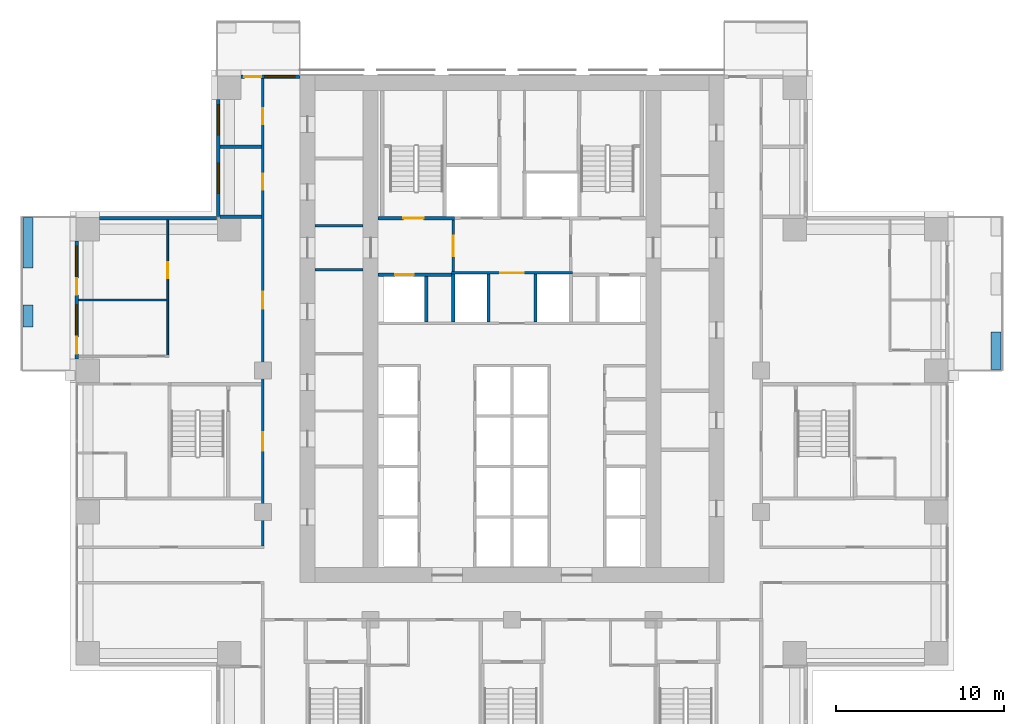
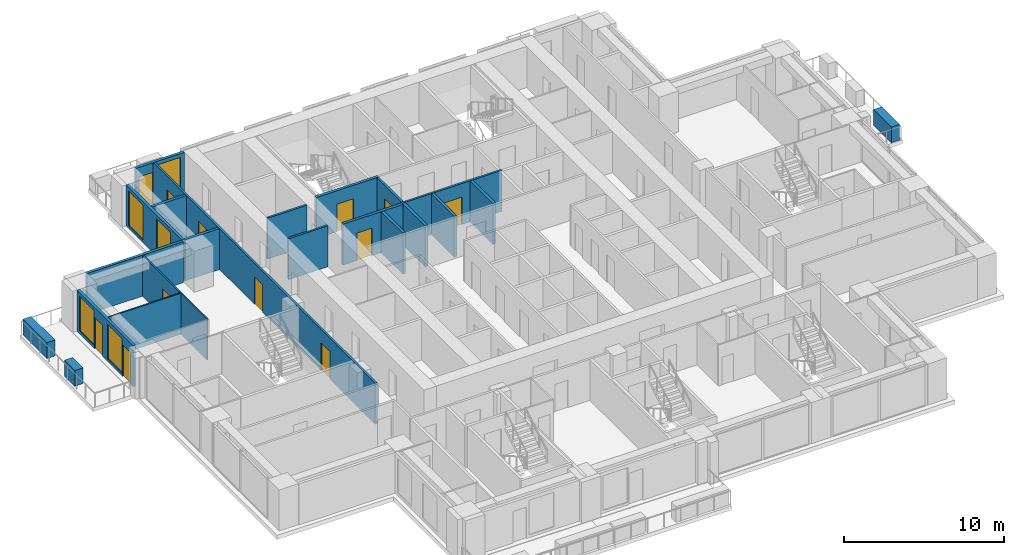
# One storey, part 10 of 16: 22 walls, 12 doors, 5 windows, 17 openings.
"""IFC4 building model written with IfcOpenShell, lengths in metres."""

from ifc_helpers import new_model, si_unit, direction, frame, frame_2d, origin, place, context, subcontext, project, spatial, rectangle, extrude, material, layer, layer_set, type_object, element, fill, save


model = new_model("IFC4")

# Units and contexts
model_context = context("Model", 3, precision=1e-05, world=origin(), true_north=direction((0.0, 1.0)))
body_context = subcontext(model_context, "Body", "Model", "MODEL_VIEW")
ifc_project = project(units=[si_unit("LENGTHUNIT", "METRE"), si_unit("AREAUNIT", "SQUARE_METRE"), si_unit("VOLUMEUNIT", "CUBIC_METRE"), si_unit("PLANEANGLEUNIT", "RADIAN"), si_unit("MASSUNIT", "GRAM", prefix="KILO")], contexts=[model_context])

# Site, building, storey
site_placement = place(None, origin())
site = spatial("IfcSite", under=ifc_project, at=site_placement, CompositionType="ELEMENT")
building_placement = place(site_placement, origin())
building = spatial("IfcBuilding", under=site, at=building_placement, Name="Vermilion Ogive Tower", CompositionType="ELEMENT")
storey_placement = place(building_placement, frame((0.0, 0.0, 44.85009765625)))
storey = spatial("IfcBuildingStorey", under=building, at=storey_placement, Name="L09", CompositionType="ELEMENT", Elevation=44.85009765625)

# Wall
ifc_material_1 = material(Name="Gypsum board partition on steel studs", Category="steel")
ifc_layer_1 = layer(ifc_material_1, 0.10009765625)
ifc_layer_set_1 = layer_set([ifc_layer_1], Name="Partition 100 inner")
wall_type_1 = type_object("IfcWallType", Name="Partition 100 inner", PredefinedType="PARTITIONING", material=ifc_layer_set_1)
wall_1_placement = place(storey_placement, frame((-25.75, 8.39990234375, 0.0), z_axis=(0.0, 0.0, 1.0), x_axis=(1.0, 0.0, 0.0)))
element("IfcWall", 1, at=wall_1_placement, inside=storey, type_object=wall_type_1, Name="L09-W-W035", PredefinedType="PARTITIONING", context=body_context, shape_type="SweptSolid", body=[
    extrude(rectangle(XDim=5.25, YDim=0.10009765625, at=frame_2d((2.625, 0.0))), origin(), (0.0, 0.0, 1.0), 3.1298828125),
])

# Wall, opening, door
wall_2_placement = place(storey_placement, frame((-20.449951171875, 5.099853515625, 0.0), z_axis=(0.0, 0.0, 1.0), x_axis=(0.0, 1.0, 0.0)))
wall_2 = element("IfcWall", 2, at=wall_2_placement, inside=storey, type_object=wall_type_1, Name="L09-W-W042", PredefinedType="PARTITIONING", context=body_context, shape_type="SweptSolid", body=[
    extrude(rectangle(XDim=8.050048828125, YDim=0.10009765625, at=frame_2d((4.02490234375, 0.0))), origin(), (0.0, 0.0, 1.0), 3.1298828125),
])
opening_1_placement = place(wall_2_placement, frame((4.60009765625, 0.0, 0.0)))
opening_1 = element("IfcOpeningElement", 3, at=opening_1_placement, cuts=wall_2, Name="Opening D1G2005", PredefinedType="OPENING", context=body_context, shape_type="SweptSolid", body=[
    extrude(rectangle(XDim=0.949951171875, YDim=2.10009765625, at=frame_2d((0.47509765625, 1.050048828125))), frame((0.0, 0.06005859375, 0.0), z_axis=(0.0, -1.0, 0.0), x_axis=(1.0, 0.0, 0.0)), (0.0, 0.0, 1.0), 0.1201171875),
])
ifc_material_2 = material(Name="Timber door leaf", Category="wood")
door_type_1 = type_object("IfcDoorType", Name="Inner door 950 x 2100 FD30", OperationType="SINGLE_SWING_LEFT", PredefinedType="DOOR", material=ifc_material_2)
door_1_placement = place(opening_1_placement, origin())
door_1 = element("IfcDoor", 4, at=door_1_placement, inside=storey, type_object=door_type_1, Name="L09-D-D005", OperationType="SINGLE_SWING_RIGHT", OverallHeight=2.10009765625, OverallWidth=0.949951171875, PredefinedType="DOOR", context=body_context, shape_type="SweptSolid", body=[
    extrude(rectangle(XDim=0.949951171875, YDim=2.10009765625, at=frame_2d((0.47509765625, 1.050048828125))), frame((0.0, 0.02490234375, 0.0), z_axis=(0.0, -1.0, 0.0), x_axis=(1.0, 0.0, 0.0)), (0.0, 0.0, 1.0), 0.050048828125),
])
fill(opening_1, door_1)

# Wall, openings, doors
ifc_material_3 = material(Name="Gypsum board partition on steel studs", Category="steel")
ifc_layer_2 = layer(ifc_material_3, 0.14990234375)
ifc_layer_set_2 = layer_set([ifc_layer_2], Name="Partition 150 corridor")
wall_type_2 = type_object("IfcWallType", Name="Partition 150 corridor", PredefinedType="PARTITIONING", material=ifc_layer_set_2)
wall_3_placement = place(storey_placement, frame((-14.800048828125, -6.22509765625, 0.0), z_axis=(0.0, 0.0, 1.0), x_axis=(0.0, 1.0, 0.0)))
wall_3 = element("IfcWall", 5, at=wall_3_placement, inside=storey, type_object=wall_type_2, Name="L09-W-W048", PredefinedType="PARTITIONING", context=body_context, shape_type="SweptSolid", body=[
    extrude(rectangle(XDim=27.775146484375, YDim=0.14990234375, at=frame_2d((13.8876953125, 0.0))), origin(), (0.0, 0.0, 1.0), 3.1298828125),
])
opening_2_placement = place(wall_3_placement, frame((14.10009765625, 0.0, 0.0)))
opening_2 = element("IfcOpeningElement", 6, at=opening_2_placement, cuts=wall_3, Name="Opening D1G2006", PredefinedType="OPENING", context=body_context, shape_type="SweptSolid", body=[
    extrude(rectangle(XDim=1.0, YDim=2.10009765625, at=frame_2d((0.5, 1.050048828125))), frame((0.0, 0.0849609375, 0.0), z_axis=(0.0, -1.0, 0.0), x_axis=(1.0, 0.0, 0.0)), (0.0, 0.0, 1.0), 0.169921875),
])
opening_3_placement = place(wall_3_placement, frame((21.175048828125, 0.0, 0.0)))
opening_3 = element("IfcOpeningElement", 7, at=opening_3_placement, cuts=wall_3, Name="Opening D1G2009", PredefinedType="OPENING", context=body_context, shape_type="SweptSolid", body=[
    extrude(rectangle(XDim=0.949951171875, YDim=2.10009765625, at=frame_2d((0.47509765625, 1.050048828125))), frame((0.0, 0.0849609375, 0.0), z_axis=(0.0, -1.0, 0.0), x_axis=(1.0, 0.0, 0.0)), (0.0, 0.0, 1.0), 0.169921875),
])
opening_4_placement = place(wall_3_placement, frame((25.0751953125, 0.0, 0.0)))
opening_4 = element("IfcOpeningElement", 8, at=opening_4_placement, cuts=wall_3, Name="Opening D1G2010", PredefinedType="OPENING", context=body_context, shape_type="SweptSolid", body=[
    extrude(rectangle(XDim=0.949951171875, YDim=2.10009765625, at=frame_2d((0.47509765625, 1.050048828125))), frame((0.0, 0.0849609375, 0.0), z_axis=(0.0, -1.0, 0.0), x_axis=(1.0, 0.0, 0.0)), (0.0, 0.0, 1.0), 0.169921875),
])
opening_5_placement = place(wall_3_placement, frame((5.675048828125, 0.0, 0.0)))
opening_5 = element("IfcOpeningElement", 9, at=opening_5_placement, cuts=wall_3, Name="Opening D1G2033", PredefinedType="OPENING", context=body_context, shape_type="SweptSolid", body=[
    extrude(rectangle(XDim=1.10009765625, YDim=2.10009765625, at=frame_2d((0.550048828125, 1.050048828125))), frame((0.0, 0.0849609375, 0.0), z_axis=(0.0, -1.0, 0.0), x_axis=(1.0, 0.0, 0.0)), (0.0, 0.0, 1.0), 0.169921875),
])
ifc_material_4 = material(Name="Timber door leaf", Category="wood")
door_type_2 = type_object("IfcDoorType", Name="Stair door 1100 x 2100 FD60S", OperationType="SINGLE_SWING_LEFT", PredefinedType="DOOR", material=ifc_material_4)
door_2_placement = place(opening_5_placement, origin())
door_2 = element("IfcDoor", 10, at=door_2_placement, inside=storey, type_object=door_type_2, Name="L09-D-D033", OperationType="SINGLE_SWING_RIGHT", OverallHeight=2.10009765625, OverallWidth=1.10009765625, PredefinedType="DOOR", context=body_context, shape_type="SweptSolid", body=[
    extrude(rectangle(XDim=1.10009765625, YDim=2.10009765625, at=frame_2d((0.550048828125, 1.050048828125))), frame((0.0, 0.02490234375, 0.0), z_axis=(0.0, -1.0, 0.0), x_axis=(1.0, 0.0, 0.0)), (0.0, 0.0, 1.0), 0.050048828125),
])
fill(opening_5, door_2)
ifc_material_5 = material(Name="Timber door leaf", Category="wood")
door_type_3 = type_object("IfcDoorType", Name="Unit door 1000 x 2100 FD30S", OperationType="SINGLE_SWING_LEFT", PredefinedType="DOOR", material=ifc_material_5)
door_3_placement = place(opening_2_placement, origin())
door_3 = element("IfcDoor", 11, at=door_3_placement, inside=storey, type_object=door_type_3, Name="L09-D-D006", OperationType="SINGLE_SWING_LEFT", OverallHeight=2.10009765625, OverallWidth=1.0, PredefinedType="DOOR", context=body_context, shape_type="SweptSolid", body=[
    extrude(rectangle(XDim=1.0, YDim=2.10009765625, at=frame_2d((0.5, 1.050048828125))), frame((0.0, 0.02490234375, 0.0), z_axis=(0.0, -1.0, 0.0), x_axis=(1.0, 0.0, 0.0)), (0.0, 0.0, 1.0), 0.050048828125),
])
fill(opening_2, door_3)
ifc_material_6 = material(Name="Timber door leaf", Category="wood")
door_type_4 = type_object("IfcDoorType", Name="Unit door 950 x 2100 FD30S", OperationType="SINGLE_SWING_LEFT", PredefinedType="DOOR", material=ifc_material_6)
door_4_placement = place(opening_3_placement, origin())
door_4 = element("IfcDoor", 12, at=door_4_placement, inside=storey, type_object=door_type_4, Name="L09-D-D009", OperationType="SINGLE_SWING_RIGHT", OverallHeight=2.10009765625, OverallWidth=0.949951171875, PredefinedType="DOOR", context=body_context, shape_type="SweptSolid", body=[
    extrude(rectangle(XDim=0.949951171875, YDim=2.10009765625, at=frame_2d((0.47509765625, 1.050048828125))), frame((0.0, 0.02490234375, 0.0), z_axis=(0.0, -1.0, 0.0), x_axis=(1.0, 0.0, 0.0)), (0.0, 0.0, 1.0), 0.050048828125),
])
fill(opening_3, door_4)
door_5_placement = place(opening_4_placement, origin())
door_5 = element("IfcDoor", 13, at=door_5_placement, inside=storey, type_object=door_type_4, Name="L09-D-D010", OperationType="SINGLE_SWING_LEFT", OverallHeight=2.10009765625, OverallWidth=0.949951171875, PredefinedType="DOOR", context=body_context, shape_type="SweptSolid", body=[
    extrude(rectangle(XDim=0.949951171875, YDim=2.10009765625, at=frame_2d((0.47509765625, 1.050048828125))), frame((0.0, 0.02490234375, 0.0), z_axis=(0.0, -1.0, 0.0), x_axis=(1.0, 0.0, 0.0)), (0.0, 0.0, 1.0), 0.050048828125),
])
fill(opening_4, door_5)

# Wall, opening, door
wall_4_placement = place(storey_placement, frame((-3.60009765625, 10.0, 0.0), z_axis=(0.0, 0.0, 1.0), x_axis=(1.0, 0.0, 0.0)))
wall_4 = element("IfcWall", 14, at=wall_4_placement, inside=storey, type_object=wall_type_2, Name="L09-CK-W-W017", PredefinedType="PARTITIONING", context=body_context, shape_type="SweptSolid", body=[
    extrude(rectangle(XDim=7.2001953125, YDim=0.14990234375, at=frame_2d((3.60009765625, 0.0))), origin(), (0.0, 0.0, 1.0), 3.1298828125),
])
opening_6_placement = place(wall_4_placement, frame((2.900146484375, 0.0, 0.0)))
opening_6 = element("IfcOpeningElement", 15, at=opening_6_placement, cuts=wall_4, Name="Opening DAA025", PredefinedType="OPENING", context=body_context, shape_type="SweptSolid", body=[
    extrude(rectangle(XDim=1.39990234375, YDim=2.10009765625, at=frame_2d((0.699951171875, 1.050048828125))), frame((0.0, 0.0849609375, 0.0), z_axis=(0.0, -1.0, 0.0), x_axis=(1.0, 0.0, 0.0)), (0.0, 0.0, 1.0), 0.169921875),
])
ifc_material_7 = material(Name="Timber door leaf", Category="wood")
door_type_5 = type_object("IfcDoorType", Name="Lobby door 1400 x 2100 FD60S", OperationType="SINGLE_SWING_LEFT", PredefinedType="DOOR", material=ifc_material_7)
door_6_placement = place(opening_6_placement, origin())
door_6 = element("IfcDoor", 16, at=door_6_placement, inside=storey, type_object=door_type_5, Name="L09-CK-D-D017", OperationType="SINGLE_SWING_RIGHT", OverallHeight=2.10009765625, OverallWidth=1.39990234375, PredefinedType="DOOR", context=body_context, shape_type="SweptSolid", body=[
    extrude(rectangle(XDim=1.39990234375, YDim=2.10009765625, at=frame_2d((0.699951171875, 1.050048828125))), frame((0.0, 0.02490234375, 0.0), z_axis=(0.0, -1.0, 0.0), x_axis=(1.0, 0.0, 0.0)), (0.0, 0.0, 1.0), 0.050048828125),
])
fill(opening_6, door_6)

wall_5_placement = place(storey_placement, frame((-3.5, 10.074951171875, 0.0), z_axis=(0.0, 0.0, 1.0), x_axis=(0.0, 1.0, 0.0)))
wall_5 = element("IfcWall", 17, at=wall_5_placement, inside=storey, type_object=wall_type_2, Name="L09-CK-W-W027", PredefinedType="PARTITIONING", context=body_context, shape_type="SweptSolid", body=[
    extrude(rectangle(XDim=3.074951171875, YDim=0.14990234375, at=frame_2d((1.53759765625, 0.0))), origin(), (0.0, 0.0, 1.0), 3.1298828125),
])
opening_7_placement = place(wall_5_placement, frame((0.925048828125, 0.0, 0.0)))
opening_7 = element("IfcOpeningElement", 18, at=opening_7_placement, cuts=wall_5, Name="Opening DAA022", PredefinedType="OPENING", context=body_context, shape_type="SweptSolid", body=[
    extrude(rectangle(XDim=1.199951171875, YDim=2.10009765625, at=frame_2d((0.60009765625, 1.050048828125))), frame((0.0, 0.0849609375, 0.0), z_axis=(0.0, -1.0, 0.0), x_axis=(1.0, 0.0, 0.0)), (0.0, 0.0, 1.0), 0.169921875),
])
ifc_material_8 = material(Name="Timber door leaf", Category="wood")
door_type_6 = type_object("IfcDoorType", Name="Lobby door 1200 x 2100 FD60S", OperationType="SINGLE_SWING_LEFT", PredefinedType="DOOR", material=ifc_material_8)
door_7_placement = place(opening_7_placement, origin())
door_7 = element("IfcDoor", 19, at=door_7_placement, inside=storey, type_object=door_type_6, Name="L09-CK-D-D023", OperationType="SINGLE_SWING_RIGHT", OverallHeight=2.10009765625, OverallWidth=1.199951171875, PredefinedType="DOOR", context=body_context, shape_type="SweptSolid", body=[
    extrude(rectangle(XDim=1.199951171875, YDim=2.10009765625, at=frame_2d((0.60009765625, 1.050048828125))), frame((0.0, 0.02490234375, 0.0), z_axis=(0.0, -1.0, 0.0), x_axis=(1.0, 0.0, 0.0)), (0.0, 0.0, 1.0), 0.050048828125),
])
fill(opening_7, door_7)

# Walls
for number, where, z_axis, x_axis, name in (
    (20, (-11.698974609375, 10.199951171875, 0.0), (0.0, 0.0, 1.0), (1.0, 0.0, 0.0), "L09-CKW-W-W004"),
    (21, (-11.698974609375, 12.800048828125, 0.0), (0.0, 0.0, 1.0), (1.0, 0.0, 0.0), "L09-CKW-W-W005"),
):
    element("IfcWall", number, at=place(storey_placement, frame(where, z_axis=z_axis, x_axis=x_axis)), inside=storey, type_object=wall_type_2, Name=name, PredefinedType="PARTITIONING", context=body_context, shape_type="SweptSolid", body=[
        extrude(rectangle(XDim=2.847900390625, YDim=0.14990234375, at=frame_2d((1.423828125, 0.0))), origin(), (0.0, 0.0, 1.0), 3.1298828125),
    ])
ifc_material_9 = material(Name="Gypsum board partition on steel studs", Category="steel")
ifc_layer_3 = layer(ifc_material_9, 0.199951171875)
ifc_layer_set_3 = layer_set([ifc_layer_3], Name="Partition 200 party")
wall_type_3 = type_object("IfcWallType", Name="Partition 200 party", PredefinedType="PARTITIONING", material=ifc_layer_set_3)
for number, where, z_axis, x_axis, name in (
    (22, (-17.35009765625, 13.35009765625, 0.0), (0.0, 0.0, 1.0), (1.0, 0.0, 0.0), "L09-W-W037"),
    (23, (-17.35009765625, 17.5, 0.0), (0.0, 0.0, 1.0), (1.0, 0.0, 0.0), "L09-W-W039"),
):
    element("IfcWall", number, at=place(storey_placement, frame(where, z_axis=z_axis, x_axis=x_axis)), inside=storey, type_object=wall_type_3, Name=name, PredefinedType="PARTITIONING", context=body_context, shape_type="SweptSolid", body=[
        extrude(rectangle(XDim=2.47509765625, YDim=0.199951171875, at=frame_2d((1.237548828125, 0.0))), origin(), (0.0, 0.0, 1.0), 3.1298828125),
    ])

# Wall, opening, door
wall_6_placement = place(storey_placement, frame((-7.948974609375, 9.89990234375, 0.0), z_axis=(0.0, 0.0, 1.0), x_axis=(1.0, 0.0, 0.0)))
wall_6 = element("IfcWall", 24, at=wall_6_placement, inside=storey, type_object=wall_type_3, Name="L09-CK-W-W015", PredefinedType="PARTITIONING", context=body_context, shape_type="SweptSolid", body=[
    extrude(rectangle(XDim=4.348876953125, YDim=0.199951171875, at=frame_2d((2.17431640625, 0.0))), origin(), (0.0, 0.0, 1.0), 3.1298828125),
])
opening_8_placement = place(wall_6_placement, frame((0.9990234375, 0.0, 0.0)))
opening_8 = element("IfcOpeningElement", 25, at=opening_8_placement, cuts=wall_6, Name="Opening DAA044", PredefinedType="OPENING", context=body_context, shape_type="SweptSolid", body=[
    extrude(rectangle(XDim=1.10009765625, YDim=2.10009765625, at=frame_2d((0.550048828125, 1.050048828125))), frame((0.0, 0.10986328125, 0.0), z_axis=(0.0, -1.0, 0.0), x_axis=(1.0, 0.0, 0.0)), (0.0, 0.0, 1.0), 0.219970703125),
])
ifc_material_10 = material(Name="Stainless steel", Category="steel")
door_type_7 = type_object("IfcDoorType", Name="Lift landing door 1100 x 2100", OperationType="SLIDING_TO_LEFT", PredefinedType="DOOR", material=ifc_material_10)
door_8_placement = place(opening_8_placement, origin())
door_8 = element("IfcDoor", 26, at=door_8_placement, inside=storey, type_object=door_type_7, Name="L09-CK-D-D013", OperationType="SLIDING_TO_RIGHT", OverallHeight=2.10009765625, OverallWidth=1.10009765625, PredefinedType="DOOR", context=body_context, shape_type="SweptSolid", body=[
    extrude(rectangle(XDim=1.10009765625, YDim=2.10009765625, at=frame_2d((0.550048828125, 1.050048828125))), frame((0.0, 0.02490234375, 0.0), z_axis=(0.0, -1.0, 0.0), x_axis=(1.0, 0.0, 0.0)), (0.0, 0.0, 1.0), 0.050048828125),
])
fill(opening_8, door_8)

# Walls
wall_7_placement = place(storey_placement, frame((-5.10009765625, 7.074951171875, 0.0), z_axis=(0.0, 0.0, 1.0), x_axis=(0.0, 1.0, 0.0)))
element("IfcWall", 27, at=wall_7_placement, inside=storey, type_object=wall_type_3, Name="L09-CK-W-W024", PredefinedType="PARTITIONING", context=body_context, shape_type="SweptSolid", body=[
    extrude(rectangle(XDim=2.72509765625, YDim=0.199951171875, at=frame_2d((1.362548828125, 0.0))), origin(), (0.0, 0.0, 1.0), 3.1298828125),
])
for number, where, z_axis, x_axis, name in (
    (28, (-3.5, 7.074951171875, 0.0), (0.0, 0.0, 1.0), (0.0, 1.0, 0.0), "L09-CK-W-W026"),
    (29, (-1.39990234375, 7.074951171875, 0.0), (0.0, 0.0, 1.0), (0.0, 1.0, 0.0), "L09-CK-W-W029"),
    (30, (1.39990234375, 7.074951171875, 0.0), (0.0, 0.0, 1.0), (0.0, 1.0, 0.0), "L09-CK-W-W034"),
):
    element("IfcWall", number, at=place(storey_placement, frame(where, z_axis=z_axis, x_axis=x_axis)), inside=storey, type_object=wall_type_3, Name=name, PredefinedType="PARTITIONING", context=body_context, shape_type="SweptSolid", body=[
        extrude(rectangle(XDim=2.85009765625, YDim=0.199951171875, at=frame_2d((1.425048828125, 0.0))), origin(), (0.0, 0.0, 1.0), 3.1298828125),
    ])

# Wall, opening, door
ifc_material_11 = material(Name="Concrete B60", Category="concrete")
ifc_layer_4 = layer(ifc_material_11, 0.199951171875)
ifc_layer_set_4 = layer_set([ifc_layer_4], Name="Stair shaft wall 200 Concrete B60")
wall_type_4 = type_object("IfcWallType", Name="Stair shaft wall 200 Concrete B60", PredefinedType="SOLIDWALL", material=ifc_layer_set_4)
wall_8_placement = place(storey_placement, frame((-7.948974609375, 13.25, 0.0), z_axis=(0.0, 0.0, 1.0), x_axis=(1.0, 0.0, 0.0)))
wall_8 = element("IfcWall", 31, at=wall_8_placement, inside=storey, type_object=wall_type_4, Name="L09-CK-W-W018", PredefinedType="SOLIDWALL", context=body_context, shape_type="SweptSolid", body=[
    extrude(rectangle(XDim=4.52392578125, YDim=0.199951171875, at=frame_2d((2.261962890625, 0.0))), origin(), (0.0, 0.0, 1.0), 3.1298828125),
])
opening_9_placement = place(wall_8_placement, frame((1.4990234375, 0.0, 0.0)))
opening_9 = element("IfcOpeningElement", 32, at=opening_9_placement, cuts=wall_8, Name="Opening DAA032", PredefinedType="OPENING", context=body_context, shape_type="SweptSolid", body=[
    extrude(rectangle(XDim=1.199951171875, YDim=2.10009765625, at=frame_2d((0.60009765625, 1.050048828125))), frame((0.0, 0.10986328125, 0.0), z_axis=(0.0, -1.0, 0.0), x_axis=(1.0, 0.0, 0.0)), (0.0, 0.0, 1.0), 0.219970703125),
])
ifc_material_12 = material(Name="Timber door leaf", Category="wood")
door_type_8 = type_object("IfcDoorType", Name="Stair door 1200 x 2100 FD60S", OperationType="SINGLE_SWING_LEFT", PredefinedType="DOOR", material=ifc_material_12)
door_9_placement = place(opening_9_placement, origin())
door_9 = element("IfcDoor", 33, at=door_9_placement, inside=storey, type_object=door_type_8, Name="L09-CK-D-D012", OperationType="SINGLE_SWING_LEFT", OverallHeight=2.10009765625, OverallWidth=1.199951171875, PredefinedType="DOOR", context=body_context, shape_type="SweptSolid", body=[
    extrude(rectangle(XDim=1.199951171875, YDim=2.10009765625, at=frame_2d((0.60009765625, 1.050048828125))), frame((0.0, 0.02490234375, 0.0), z_axis=(0.0, -1.0, 0.0), x_axis=(1.0, 0.0, 0.0)), (0.0, 0.0, 1.0), 0.050048828125),
])
fill(opening_9, door_9)

# Walls
ifc_material_13 = material(Name="Concrete B40", Category="concrete")
ifc_layer_5 = layer(ifc_material_13, 0.60009765625)
ifc_layer_set_5 = layer_set([ifc_layer_5], Name="Structural planter")
wall_type_5 = type_object("IfcWallType", Name="Structural planter", PredefinedType="USERDEFINED", material=ifc_layer_set_5)
wall_9_placement = place(storey_placement, frame((28.75, 4.260009765625, -0.0400390625), z_axis=(0.0, 0.0, 1.0), x_axis=(0.0, 1.0, 0.0)))
element("IfcWall", 34, at=wall_9_placement, inside=storey, type_object=wall_type_5, Name="Planter E03A1", ObjectType="PLANTER", PredefinedType="USERDEFINED", context=body_context, shape_type="SweptSolid", body=[
    extrude(rectangle(XDim=2.239990234375, YDim=0.60009765625, at=frame_2d((1.1201171875, 0.0))), origin(), (0.0, 0.0, 1.0), 1.199951171875),
])
wall_10_placement = place(storey_placement, frame((-28.75, 13.2900390625, -0.0400390625), z_axis=(0.0, 0.0, 1.0), x_axis=(0.0, -1.0, 0.0)))
element("IfcWall", 35, at=wall_10_placement, inside=storey, type_object=wall_type_5, Name="Planter W01A1", ObjectType="PLANTER", PredefinedType="USERDEFINED", context=body_context, shape_type="SweptSolid", body=[
    extrude(rectangle(XDim=2.989990234375, YDim=0.60009765625, at=frame_2d((1.4951171875, 0.0))), origin(), (0.0, 0.0, 1.0), 1.199951171875),
])
wall_11_placement = place(storey_placement, frame((-28.75, 8.10009765625, -0.0400390625), z_axis=(0.0, 0.0, 1.0), x_axis=(0.0, -1.0, 0.0)))
element("IfcWall", 36, at=wall_11_placement, inside=storey, type_object=wall_type_5, Name="Planter W01A2", ObjectType="PLANTER", PredefinedType="USERDEFINED", context=body_context, shape_type="SweptSolid", body=[
    extrude(rectangle(XDim=1.300048828125, YDim=0.60009765625, at=frame_2d((0.64990234375, 0.0))), origin(), (0.0, 0.0, 1.0), 1.199951171875),
])

# Wall, openings, door, window
ifc_material_14 = material(Name="Aluminium window wall framing", Category="aluminium")
ifc_layer_6 = layer(ifc_material_14, 0.199951171875)
ifc_layer_set_6 = layer_set([ifc_layer_6], Name="Window wall")
wall_type_6 = type_object("IfcWallType", Name="Window wall", PredefinedType="STANDARD", material=ifc_layer_set_6)
wall_12_placement = place(storey_placement, frame((-12.60009765625, 21.64990234375, 0.0), z_axis=(0.0, 0.0, 1.0), x_axis=(-1.0, 0.0, 0.0)))
wall_12 = element("IfcWall", 37, at=wall_12_placement, inside=storey, type_object=wall_type_6, Name="Window wall N21", PredefinedType="STANDARD", context=body_context, shape_type="SweptSolid", body=[
    extrude(rectangle(XDim=3.5, YDim=0.199951171875, at=frame_2d((1.75, 0.0))), origin(), (0.0, 0.0, 1.0), 3.1298828125),
])
opening_10_placement = place(wall_12_placement, frame((0.300048828125, 0.0, 0.199951171875)))
opening_10 = element("IfcOpeningElement", 38, at=opening_10_placement, cuts=wall_12, Name="Opening W1-N296", PredefinedType="OPENING", context=body_context, shape_type="SweptSolid", body=[
    extrude(rectangle(XDim=1.800048828125, YDim=2.64990234375, at=frame_2d((0.89990234375, 1.324951171875))), frame((0.0, 0.10986328125, 0.0), z_axis=(0.0, -1.0, 0.0), x_axis=(1.0, 0.0, 0.0)), (0.0, 0.0, 1.0), 0.219970703125),
])
opening_11_placement = place(wall_12_placement, frame((2.300048828125, 0.0, 0.0)))
opening_11 = element("IfcOpeningElement", 39, at=opening_11_placement, cuts=wall_12, Name="Opening D1-N296", PredefinedType="OPENING", context=body_context, shape_type="SweptSolid", body=[
    extrude(rectangle(XDim=1.0, YDim=2.39990234375, at=frame_2d((0.5, 1.199951171875))), frame((0.0, 0.10986328125, 0.0), z_axis=(0.0, -1.0, 0.0), x_axis=(1.0, 0.0, 0.0)), (0.0, 0.0, 1.0), 0.219970703125),
])
ifc_material_15 = material(Name="Aluminium framed glazed door", Category="aluminium")
door_type_9 = type_object("IfcDoorType", Name="Balcony door D1", OperationType="SINGLE_SWING_LEFT", PredefinedType="DOOR", material=ifc_material_15)
door_10_placement = place(opening_11_placement, origin())
door_10 = element("IfcDoor", 40, at=door_10_placement, inside=storey, type_object=door_type_9, Name="Balcony door N296", OperationType="SINGLE_SWING_LEFT", OverallHeight=2.39990234375, OverallWidth=1.0, PredefinedType="DOOR", context=body_context, shape_type="SweptSolid", body=[
    extrude(rectangle(XDim=1.0, YDim=2.39990234375, at=frame_2d((0.5, 1.199951171875))), frame((0.0, 0.02490234375, 0.0), z_axis=(0.0, -1.0, 0.0), x_axis=(1.0, 0.0, 0.0)), (0.0, 0.0, 1.0), 0.050048828125),
])
fill(opening_11, door_10)
ifc_material_16 = material(Name="Aluminium framed double glazing", Category="aluminium")
window_type = type_object("IfcWindowType", Name="Guest window W1", PartitioningType="SINGLE_PANEL", PredefinedType="WINDOW", material=ifc_material_16)
window_1_placement = place(opening_10_placement, origin())
window_1 = element("IfcWindow", 41, at=window_1_placement, inside=storey, type_object=window_type, Name="Window N296", OverallHeight=2.64990234375, OverallWidth=1.800048828125, PartitioningType="SINGLE_PANEL", PredefinedType="WINDOW", context=body_context, shape_type="SweptSolid", body=[
    extrude(rectangle(XDim=1.800048828125, YDim=2.64990234375, at=frame_2d((0.89990234375, 1.324951171875))), frame((0.0, 0.030029296875, 0.0), z_axis=(0.0, -1.0, 0.0), x_axis=(1.0, 0.0, 0.0)), (0.0, 0.0, 1.0), 0.06005859375),
])
fill(opening_10, window_1)

# Wall, openings, windows
wall_13_placement = place(storey_placement, frame((-17.449951171875, 20.300048828125, 0.0), z_axis=(0.0, 0.0, 1.0), x_axis=(0.0, -1.0, 0.0)))
wall_13 = element("IfcWall", 42, at=wall_13_placement, inside=storey, type_object=wall_type_6, Name="Window wall X51", PredefinedType="STANDARD", context=body_context, shape_type="SweptSolid", body=[
    extrude(rectangle(XDim=6.949951171875, YDim=0.199951171875, at=frame_2d((3.47509765625, 0.0))), origin(), (0.0, 0.0, 1.0), 3.1298828125),
])
opening_12_placement = place(wall_13_placement, frame((3.77490234375, 0.0, 0.199951171875)))
opening_12 = element("IfcOpeningElement", 43, at=opening_12_placement, cuts=wall_13, Name="Opening W1-X503", PredefinedType="OPENING", context=body_context, shape_type="SweptSolid", body=[
    extrude(rectangle(XDim=1.800048828125, YDim=2.64990234375, at=frame_2d((0.89990234375, 1.324951171875))), frame((0.0, 0.10986328125, 0.0), z_axis=(0.0, -1.0, 0.0), x_axis=(1.0, 0.0, 0.0)), (0.0, 0.0, 1.0), 0.219970703125),
])
opening_13_placement = place(wall_13_placement, frame((0.300048828125, 0.0, 0.199951171875)))
opening_13 = element("IfcOpeningElement", 44, at=opening_13_placement, cuts=wall_13, Name="Opening W1-X504", PredefinedType="OPENING", context=body_context, shape_type="SweptSolid", body=[
    extrude(rectangle(XDim=1.800048828125, YDim=2.64990234375, at=frame_2d((0.89990234375, 1.324951171875))), frame((0.0, 0.10986328125, 0.0), z_axis=(0.0, -1.0, 0.0), x_axis=(1.0, 0.0, 0.0)), (0.0, 0.0, 1.0), 0.219970703125),
])
window_2_placement = place(opening_12_placement, origin())
window_2 = element("IfcWindow", 45, at=window_2_placement, inside=storey, type_object=window_type, Name="Window X503", OverallHeight=2.64990234375, OverallWidth=1.800048828125, PartitioningType="SINGLE_PANEL", PredefinedType="WINDOW", context=body_context, shape_type="SweptSolid", body=[
    extrude(rectangle(XDim=1.800048828125, YDim=2.64990234375, at=frame_2d((0.89990234375, 1.324951171875))), frame((0.0, 0.030029296875, 0.0), z_axis=(0.0, -1.0, 0.0), x_axis=(1.0, 0.0, 0.0)), (0.0, 0.0, 1.0), 0.06005859375),
])
fill(opening_12, window_2)
window_3_placement = place(opening_13_placement, origin())
window_3 = element("IfcWindow", 46, at=window_3_placement, inside=storey, type_object=window_type, Name="Window X504", OverallHeight=2.64990234375, OverallWidth=1.800048828125, PartitioningType="SINGLE_PANEL", PredefinedType="WINDOW", context=body_context, shape_type="SweptSolid", body=[
    extrude(rectangle(XDim=1.800048828125, YDim=2.64990234375, at=frame_2d((0.89990234375, 1.324951171875))), frame((0.0, 0.030029296875, 0.0), z_axis=(0.0, -1.0, 0.0), x_axis=(1.0, 0.0, 0.0)), (0.0, 0.0, 1.0), 0.06005859375),
])
fill(opening_13, window_3)

# Wall
wall_14_placement = place(storey_placement, frame((-17.550048828125, 13.25, 0.0), z_axis=(0.0, 0.0, 1.0), x_axis=(-1.0, 0.0, 0.0)))
element("IfcWall", 47, at=wall_14_placement, inside=storey, type_object=wall_type_6, Name="Window wall X61", PredefinedType="STANDARD", context=body_context, shape_type="SweptSolid", body=[
    extrude(rectangle(XDim=6.949951171875, YDim=0.199951171875, at=frame_2d((3.47509765625, 0.0))), origin(), (0.0, 0.0, 1.0), 3.1298828125),
])

# Wall, openings, doors, windows
wall_15_placement = place(storey_placement, frame((-25.85009765625, 11.89990234375, 0.0), z_axis=(0.0, 0.0, 1.0), x_axis=(0.0, -1.0, 0.0)))
wall_15 = element("IfcWall", 48, at=wall_15_placement, inside=storey, type_object=wall_type_6, Name="Window wall W1", PredefinedType="STANDARD", context=body_context, shape_type="SweptSolid", body=[
    extrude(rectangle(XDim=7.0, YDim=0.199951171875, at=frame_2d((3.5, 0.0))), origin(), (0.0, 0.0, 1.0), 3.1298828125),
])
opening_14_placement = place(wall_15_placement, frame((3.800048828125, 0.0, 0.199951171875)))
opening_14 = element("IfcOpeningElement", 49, at=opening_14_placement, cuts=wall_15, Name="Opening W1-W01", PredefinedType="OPENING", context=body_context, shape_type="SweptSolid", body=[
    extrude(rectangle(XDim=1.800048828125, YDim=2.64990234375, at=frame_2d((0.89990234375, 1.324951171875))), frame((0.0, 0.10986328125, 0.0), z_axis=(0.0, -1.0, 0.0), x_axis=(1.0, 0.0, 0.0)), (0.0, 0.0, 1.0), 0.219970703125),
])
opening_15_placement = place(wall_15_placement, frame((5.699951171875, 0.0, 0.0)))
opening_15 = element("IfcOpeningElement", 50, at=opening_15_placement, cuts=wall_15, Name="Opening D1-W01", PredefinedType="OPENING", context=body_context, shape_type="SweptSolid", body=[
    extrude(rectangle(XDim=1.0, YDim=2.39990234375, at=frame_2d((0.5, 1.199951171875))), frame((0.0, 0.10986328125, 0.0), z_axis=(0.0, -1.0, 0.0), x_axis=(1.0, 0.0, 0.0)), (0.0, 0.0, 1.0), 0.219970703125),
])
opening_16_placement = place(wall_15_placement, frame((0.300048828125, 0.0, 0.199951171875)))
opening_16 = element("IfcOpeningElement", 51, at=opening_16_placement, cuts=wall_15, Name="Opening W1-W02", PredefinedType="OPENING", context=body_context, shape_type="SweptSolid", body=[
    extrude(rectangle(XDim=1.800048828125, YDim=2.64990234375, at=frame_2d((0.89990234375, 1.324951171875))), frame((0.0, 0.10986328125, 0.0), z_axis=(0.0, -1.0, 0.0), x_axis=(1.0, 0.0, 0.0)), (0.0, 0.0, 1.0), 0.219970703125),
])
opening_17_placement = place(wall_15_placement, frame((2.199951171875, 0.0, 0.0)))
opening_17 = element("IfcOpeningElement", 52, at=opening_17_placement, cuts=wall_15, Name="Opening D1-W02", PredefinedType="OPENING", context=body_context, shape_type="SweptSolid", body=[
    extrude(rectangle(XDim=1.0, YDim=2.39990234375, at=frame_2d((0.5, 1.199951171875))), frame((0.0, 0.10986328125, 0.0), z_axis=(0.0, -1.0, 0.0), x_axis=(1.0, 0.0, 0.0)), (0.0, 0.0, 1.0), 0.219970703125),
])
door_11_placement = place(opening_15_placement, origin())
door_11 = element("IfcDoor", 53, at=door_11_placement, inside=storey, type_object=door_type_9, Name="Balcony door W01", OperationType="SINGLE_SWING_LEFT", OverallHeight=2.39990234375, OverallWidth=1.0, PredefinedType="DOOR", context=body_context, shape_type="SweptSolid", body=[
    extrude(rectangle(XDim=1.0, YDim=2.39990234375, at=frame_2d((0.5, 1.199951171875))), frame((0.0, 0.02490234375, 0.0), z_axis=(0.0, -1.0, 0.0), x_axis=(1.0, 0.0, 0.0)), (0.0, 0.0, 1.0), 0.050048828125),
])
fill(opening_15, door_11)
door_12_placement = place(opening_17_placement, origin())
door_12 = element("IfcDoor", 54, at=door_12_placement, inside=storey, type_object=door_type_9, Name="Balcony door W02", OperationType="SINGLE_SWING_LEFT", OverallHeight=2.39990234375, OverallWidth=1.0, PredefinedType="DOOR", context=body_context, shape_type="SweptSolid", body=[
    extrude(rectangle(XDim=1.0, YDim=2.39990234375, at=frame_2d((0.5, 1.199951171875))), frame((0.0, 0.02490234375, 0.0), z_axis=(0.0, -1.0, 0.0), x_axis=(1.0, 0.0, 0.0)), (0.0, 0.0, 1.0), 0.050048828125),
])
fill(opening_17, door_12)
window_4_placement = place(opening_14_placement, origin())
window_4 = element("IfcWindow", 55, at=window_4_placement, inside=storey, type_object=window_type, Name="Window W01", OverallHeight=2.64990234375, OverallWidth=1.800048828125, PartitioningType="SINGLE_PANEL", PredefinedType="WINDOW", context=body_context, shape_type="SweptSolid", body=[
    extrude(rectangle(XDim=1.800048828125, YDim=2.64990234375, at=frame_2d((0.89990234375, 1.324951171875))), frame((0.0, 0.030029296875, 0.0), z_axis=(0.0, -1.0, 0.0), x_axis=(1.0, 0.0, 0.0)), (0.0, 0.0, 1.0), 0.06005859375),
])
fill(opening_14, window_4)
window_5_placement = place(opening_16_placement, origin())
window_5 = element("IfcWindow", 56, at=window_5_placement, inside=storey, type_object=window_type, Name="Window W02", OverallHeight=2.64990234375, OverallWidth=1.800048828125, PartitioningType="SINGLE_PANEL", PredefinedType="WINDOW", context=body_context, shape_type="SweptSolid", body=[
    extrude(rectangle(XDim=1.800048828125, YDim=2.64990234375, at=frame_2d((0.89990234375, 1.324951171875))), frame((0.0, 0.030029296875, 0.0), z_axis=(0.0, -1.0, 0.0), x_axis=(1.0, 0.0, 0.0)), (0.0, 0.0, 1.0), 0.06005859375),
])
fill(opening_16, window_5)

save(model, "model.ifc")
